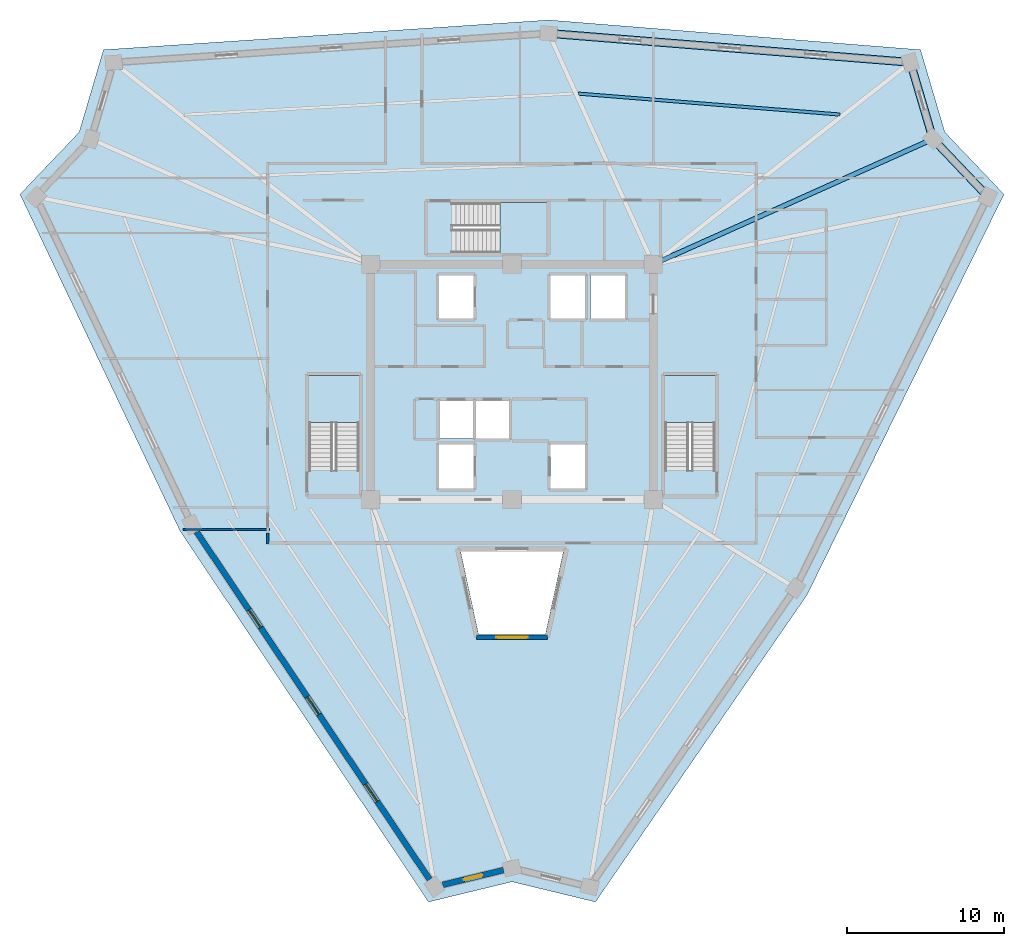
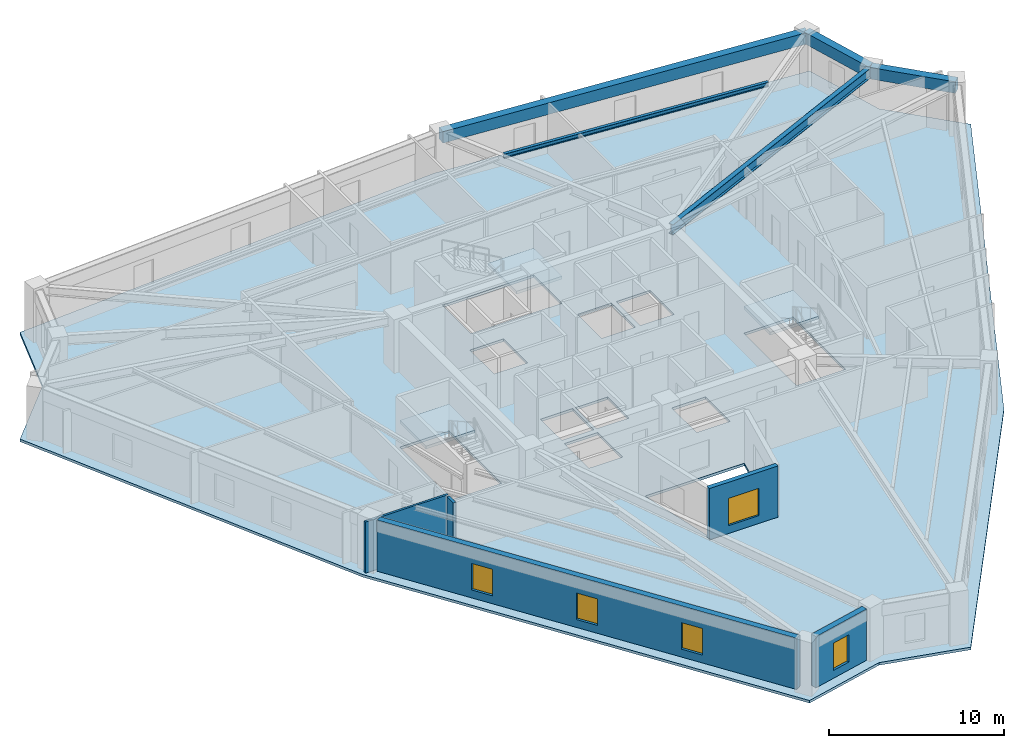
# One storey, part 2 of 8: 5 beams, 5 walls, 5 windows, 4 slabs, 5 openings, 3 elements without a shape of their own.
"""IFC4 building model written with IfcOpenShell, lengths in metres."""

import ifcopenshell
import ifcopenshell.guid

model = None  # the IFC model being written
_history = None  # IfcOwnerHistory: only IFC2X3 demands one
_inside = {}  # id of a spatial element -> (the spatial element, [elements in it])
_under = {}  # id of a project, library or spatial element -> (it, [spatial elements below it])
_declared = {}  # id of a project -> (the project, [libraries it declares])
_typed = {}  # id of a type object -> (the type object, [elements of that type])
_made_of = {}  # id of a material, layer set ... -> (it, [elements and type objects made of it])


def new_model(schema):
    """Start an empty IFC model of exactly this schema.

    Asked for "IFC4X3", IfcOpenShell would pick the latest addendum, in which some entities
    have other attributes; the version numbers below select the first issue.
    IFC2X3 requires an IfcOwnerHistory on every rooted entity: one is made here for all.
    """
    global model, _history
    if schema == "IFC4X3":
        model = ifcopenshell.file(schema_version=(4, 3, 0, 0))
    else:
        model = ifcopenshell.file(schema=schema)
    _inside.clear()
    _under.clear()
    _declared.clear()
    _typed.clear()
    _made_of.clear()
    _history = None
    if model.schema == "IFC2X3":
        org = make("IfcOrganization", Name="unknown")
        user = make(
            "IfcPersonAndOrganization",
            ThePerson=make("IfcPerson", FamilyName="unknown"),
            TheOrganization=org,
        )
        app = make(
            "IfcApplication",
            ApplicationDeveloper=org,
            Version="unknown",
            ApplicationFullName="unknown",
            ApplicationIdentifier="unknown",
        )
        _history = make(
            "IfcOwnerHistory",
            OwningUser=user,
            OwningApplication=app,
            ChangeAction="ADDED",
            CreationDate=0,
        )
    return model


def make(cls, **values):
    """One entity of the class cls with the attributes given. An attribute that is None is left unset."""
    return model.create_entity(
        cls, **{name: value for name, value in values.items() if value is not None}
    )


def rooted(cls, **values):
    """An entity with a GlobalId (a new one), such as an element, a storey or a relation."""
    return make(cls, GlobalId=ifcopenshell.guid.new(), OwnerHistory=_history, **values)


def si_unit(unit_type, name, prefix=None):
    """IfcSIUnit, for example si_unit("LENGTHUNIT", "METRE", prefix="MILLI")."""
    return make("IfcSIUnit", UnitType=unit_type, Prefix=prefix, Name=name)


def assignment(units):
    """IfcUnitAssignment: the units of a project."""
    return None if units is None else make("IfcUnitAssignment", Units=units)


def point(xyz):
    """IfcCartesianPoint."""
    return None if xyz is None else make("IfcCartesianPoint", Coordinates=xyz)


def direction(xyz):
    """IfcDirection."""
    return None if xyz is None else make("IfcDirection", DirectionRatios=xyz)


def frame(location, z_axis=None, x_axis=None):
    """IfcAxis2Placement3D, a coordinate frame: its origin and axes. An axis left out is left unset."""
    return make(
        "IfcAxis2Placement3D",
        Location=point(location),
        Axis=direction(z_axis),
        RefDirection=direction(x_axis),
    )


def frame_2d(location, x_axis=None):
    """IfcAxis2Placement2D, a coordinate frame in the plane: its origin and x axis."""
    return make(
        "IfcAxis2Placement2D", Location=point(location), RefDirection=direction(x_axis)
    )


def origin():
    """The frame at (0, 0, 0) with its axes left unset."""
    return frame((0.0, 0.0, 0.0))


def origin_2d():
    """The frame at (0, 0) in the plane with its x axis left unset."""
    return frame_2d((0.0, 0.0))


def place(relative_to, where):
    """IfcLocalPlacement: puts the frame where relative to a parent placement (None: the world)."""
    return make(
        "IfcLocalPlacement", PlacementRelTo=relative_to, RelativePlacement=where
    )


def context(
    kind, dimensions, precision=None, world=None, true_north=None, identifier=None
):
    """IfcGeometricRepresentationContext, for example the 3D "Model" context."""
    return make(
        "IfcGeometricRepresentationContext",
        ContextIdentifier=identifier,
        ContextType=kind,
        CoordinateSpaceDimension=dimensions,
        Precision=precision,
        WorldCoordinateSystem=world,
        TrueNorth=true_north,
    )


def subcontext(parent, identifier, kind, view, scale=None):
    """IfcGeometricRepresentationSubContext, for example "Body" below "Model"."""
    return make(
        "IfcGeometricRepresentationSubContext",
        ContextIdentifier=identifier,
        ContextType=kind,
        ParentContext=parent,
        TargetScale=scale,
        TargetView=view,
    )


def project(units=None, contexts=None):
    """IfcProject with its units and contexts."""
    return rooted(
        "IfcProject",
        Name="project",
        RepresentationContexts=contexts,
        UnitsInContext=assignment(units),
    )


def spatial(cls, under=None, at=None, **own):
    """A site, building, storey or space (cls), placed at a placement, below another one or the project."""
    s = rooted(cls, ObjectPlacement=at, **own)
    if under is not None:
        _under.setdefault(under.id(), (under, []))[1].append(s)
    return s


def polyline(points):
    """IfcPolyline through the points."""
    return make("IfcPolyline", Points=[point(p) for p in points])


def profile(cls, at=None, kind="AREA", **sizes):
    """A parametric profile (cls). Its sizes go by their IFC names, for example OverallWidth=200.0."""
    return make(cls, ProfileType=kind, Position=at, **sizes)


def rectangle(**sizes):
    """IfcRectangleProfileDef."""
    return profile("IfcRectangleProfileDef", **sizes)


def i_section(**sizes):
    """IfcIShapeProfileDef."""
    return profile("IfcIShapeProfileDef", **sizes)


def outline(outer, holes=None, kind="AREA"):
    """IfcArbitraryClosedProfileDef: a profile drawn as a closed curve; with holes, ...WithVoids."""
    if holes is None:
        return make("IfcArbitraryClosedProfileDef", ProfileType=kind, OuterCurve=outer)
    return make(
        "IfcArbitraryProfileDefWithVoids",
        ProfileType=kind,
        OuterCurve=outer,
        InnerCurves=holes,
    )


def extrude(swept, where, along, depth):
    """IfcExtrudedAreaSolid: the profile swept, set in the frame where, extruded along a direction by depth."""
    return make(
        "IfcExtrudedAreaSolid",
        SweptArea=swept,
        Position=where,
        ExtrudedDirection=direction(along),
        Depth=depth,
    )


def shape(context_of_items, identifier, shape_type, items):
    """IfcShapeRepresentation: the items that make up one representation, for example the "Body"."""
    return make(
        "IfcShapeRepresentation",
        ContextOfItems=context_of_items,
        RepresentationIdentifier=identifier,
        RepresentationType=shape_type,
        Items=items,
    )


def source(mapping_origin, context_of_items, identifier, shape_type, items):
    """IfcRepresentationMap: a shape defined once, which mapped items show again and again."""
    return make(
        "IfcRepresentationMap",
        MappingOrigin=mapping_origin,
        MappedRepresentation=shape(context_of_items, identifier, shape_type, items),
    )


def transform(
    local_origin,
    x_axis=None,
    y_axis=None,
    z_axis=None,
    scale=None,
    scale2=None,
    scale3=None,
    uniform=True,
):
    """IfcCartesianTransformationOperator3D, or its non-uniform kind. x_axis, y_axis, z_axis: its Axis1, 2, 3."""
    if uniform:
        return make(
            "IfcCartesianTransformationOperator3D",
            Axis1=direction(x_axis),
            Axis2=direction(y_axis),
            LocalOrigin=point(local_origin),
            Scale=scale,
            Axis3=direction(z_axis),
        )
    return make(
        "IfcCartesianTransformationOperator3DnonUniform",
        Axis1=direction(x_axis),
        Axis2=direction(y_axis),
        LocalOrigin=point(local_origin),
        Scale=scale,
        Axis3=direction(z_axis),
        Scale2=scale2,
        Scale3=scale3,
    )


def mapped(mapping_source, mapping_target):
    """IfcMappedItem: shows the shape of a source again, moved by a transform."""
    return make(
        "IfcMappedItem", MappingSource=mapping_source, MappingTarget=mapping_target
    )


def material(Name=None, Category=None):
    """IfcMaterial."""
    return make("IfcMaterial", Name=Name, Category=Category)


def layer(
    of_material, thickness, ventilated=None, Name=None, Category=None, Priority=None
):
    """IfcMaterialLayer: one layer of a wall or slab, of a material (None: an air gap)."""
    return make(
        "IfcMaterialLayer",
        Material=of_material,
        LayerThickness=thickness,
        IsVentilated=ventilated,
        Name=Name,
        Category=Category,
        Priority=Priority,
    )


def layer_set(layers, Name=None):
    """IfcMaterialLayerSet."""
    return make("IfcMaterialLayerSet", MaterialLayers=layers, LayerSetName=Name)


def material_profile(
    of_material, cross_section, Name=None, Category=None, Priority=None
):
    """IfcMaterialProfile: a cross section and its material."""
    return make(
        "IfcMaterialProfile",
        Name=Name,
        Material=of_material,
        Profile=cross_section,
        Priority=Priority,
        Category=Category,
    )


def profile_set(profiles, Name=None, composite=None):
    """IfcMaterialProfileSet."""
    return make(
        "IfcMaterialProfileSet",
        Name=Name,
        MaterialProfiles=profiles,
        CompositeProfile=composite,
    )


def made_of(thing, what):
    """Note that an element or type object is made of a material, layer set ...; save() writes the relation."""
    if what is not None:
        _made_of.setdefault(what.id(), (what, []))[1].append(thing)
    return thing


def type_object(cls, material=None, **own):
    """A type object (cls), such as IfcWallType, which elements share."""
    return made_of(rooted(cls, **own), material)


def element(
    cls,
    number,
    at=None,
    inside=None,
    cuts=None,
    type_object=None,
    material=None,
    context=None,
    identifier="Body",
    shape_type=None,
    held_by="IfcProductDefinitionShape",
    body=None,
    shapes=None,
    **own,
):
    """One element of the class cls, such as IfcWall. Its Tag is "e" and its number.

    at: its placement. inside: the storey or other place that contains it. cuts: it is an
    opening in that element (IfcRelVoidsElement). A single representation is given by context,
    identifier, shape_type and body (its items); several are given by shapes. held_by: the class
    of the entity that holds the representations. save() writes the other relations.
    """
    e = rooted(cls, Tag="e%d" % number, ObjectPlacement=at, **own)
    if body is not None:
        shapes = [shape(context, identifier, shape_type, body)]
    if shapes is not None:
        e.Representation = make(held_by, Representations=shapes)
    if inside is not None:
        _inside.setdefault(inside.id(), (inside, []))[1].append(e)
    if cuts is not None:
        rooted(
            "IfcRelVoidsElement", RelatingBuildingElement=cuts, RelatedOpeningElement=e
        )
    if type_object is not None:
        _typed.setdefault(type_object.id(), (type_object, []))[1].append(e)
    return made_of(e, material)


def fill(opening, filler):
    """IfcRelFillsElement: the door or window that sits in an opening."""
    return rooted(
        "IfcRelFillsElement",
        RelatingOpeningElement=opening,
        RelatedBuildingElement=filler,
    )


def aggregate(whole, parts):
    """IfcRelAggregates: a whole, such as a stair, and the parts it consists of."""
    return rooted("IfcRelAggregates", RelatingObject=whole, RelatedObjects=parts)


def save(model, path):
    """Write the relations noted so far, then the file.

    IfcRelAggregates (storeys below a building ...), IfcRelContainedInSpatialStructure (elements
    in a storey), IfcRelDefinesByType, IfcRelAssociatesMaterial and IfcRelDeclares: one each for
    every whole, place, type object, material and project.
    """
    for whole, parts in _under.values():
        aggregate(whole, parts)
    for where, things in _inside.values():
        rooted(
            "IfcRelContainedInSpatialStructure",
            RelatedElements=things,
            RelatingStructure=where,
        )
    for kind, things in _typed.values():
        rooted("IfcRelDefinesByType", RelatedObjects=things, RelatingType=kind)
    for what, things in _made_of.values():
        rooted("IfcRelAssociatesMaterial", RelatedObjects=things, RelatingMaterial=what)
    for by, libraries in _declared.values():
        rooted("IfcRelDeclares", RelatingContext=by, RelatedDefinitions=libraries)
    model.write(path)


model = new_model("IFC4")

# Units and contexts
model_context = context("Model", 3, precision=1e-05, world=origin(), true_north=direction((0.0, 1.0)))
body_context = subcontext(model_context, "Body", "Model", "MODEL_VIEW")
ifc_project = project(units=[si_unit("LENGTHUNIT", "METRE"), si_unit("AREAUNIT", "SQUARE_METRE"), si_unit("VOLUMEUNIT", "CUBIC_METRE"), si_unit("PLANEANGLEUNIT", "RADIAN"), si_unit("MASSUNIT", "GRAM", prefix="KILO")], contexts=[model_context])

# Site, building, storey
site_placement = place(None, origin())
site = spatial("IfcSite", under=ifc_project, at=site_placement, CompositionType="ELEMENT")
building_placement = place(site_placement, origin())
building = spatial("IfcBuilding", under=site, at=building_placement, Name="Liaohun Quay Tower", CompositionType="ELEMENT")
storey_placement = place(building_placement, frame((0.0, 0.0, 297.75)))
storey = spatial("IfcBuildingStorey", under=building, at=storey_placement, Name="L77", CompositionType="ELEMENT", Elevation=297.75)

# Beams
ifc_material_1 = material(Name="Steel Q355D", Category="steel")
ifc_material_profile_1 = material_profile(ifc_material_1, i_section(OverallWidth=0.300048828125, OverallDepth=0.699951171875, WebThickness=0.012939453125, FlangeThickness=0.02392578125, at=origin_2d()), Name="HN700x300x13x24")
ifc_profile_set_1 = profile_set([ifc_material_profile_1], Name="Steel Q355D")
beam_type_1 = type_object("IfcBeamType", Name="BM-RAD-U1", PredefinedType="BEAM", material=ifc_profile_set_1)
shared_shape_1 = source(origin(), body_context, "Body", "SweptSolid", [
    extrude(i_section(OverallWidth=0.300048828125, OverallDepth=0.699951171875, WebThickness=0.012939453125, FlangeThickness=0.02392578125, at=origin_2d()), origin(), (0.0, 0.0, 1.0), 19.517822265625),
])
beam_1_placement = place(storey_placement, frame((69.0, 61.5, 3.219970703125), z_axis=(0.912599463054, 0.408854766432, 0.0), x_axis=(-0.408854766432, 0.912599463054, 0.0)))
element("IfcBeam", 1, at=beam_1_placement, inside=storey, type_object=beam_type_1, Name="L77 Radial Primary Girder CC4-PC08", PredefinedType="BEAM", context=body_context, shape_type="MappedRepresentation", body=[
    mapped(shared_shape_1, transform((0.0, 0.0, 0.0), x_axis=(1.0, 0.0, 0.0), y_axis=(0.0, 1.0, 0.0), z_axis=(0.0, 0.0, 1.0), scale=1.0)),
])
ifc_material_profile_2 = material_profile(ifc_material_1, i_section(OverallWidth=0.199951171875, OverallDepth=0.2939453125, WebThickness=0.008056640625, FlangeThickness=0.011962890625, at=origin_2d()), Name="HM294x200x8x12")
ifc_profile_set_2 = profile_set([ifc_material_profile_2], Name="Steel Q355D")
beam_type_2 = type_object("IfcBeamType", Name="BM-SEC-J4", PredefinedType="JOIST", material=ifc_profile_set_2)
shared_shape_2 = source(origin(), body_context, "Body", "SweptSolid", [
    extrude(i_section(OverallWidth=0.199951171875, OverallDepth=0.2939453125, WebThickness=0.008056640625, FlangeThickness=0.011962890625, at=origin_2d()), origin(), (0.0, 0.0, 1.0), 16.709228515625),
])
beam_2_placement = place(storey_placement, frame((64.239990234375, 72.368896484375, 3.423095703125), z_axis=(0.996808119999, -0.079834653528, 0.0), x_axis=(0.079834653528, 0.996808119999, 0.0)))
element("IfcBeam", 2, at=beam_2_placement, inside=storey, type_object=beam_type_2, Name="L77 Wing Secondary Floor Joist SJ-09", PredefinedType="JOIST", context=body_context, shape_type="MappedRepresentation", body=[
    mapped(shared_shape_2, transform((0.0, 0.0, 0.0), x_axis=(1.0, 0.0, 0.0), y_axis=(0.0, 1.0, 0.0), z_axis=(0.0, 0.0, 1.0), scale=1.0)),
])
ifc_material_2 = material(Name="Precast concrete C50", Category="concrete")
ifc_material_profile_3 = material_profile(ifc_material_2, rectangle(XDim=0.5, YDim=0.800048828125, at=origin_2d()), Name="RC500x800")
ifc_profile_set_3 = profile_set([ifc_material_profile_3], Name="Precast concrete C50")
beam_type_3 = type_object("IfcBeamType", Name="BM-SPD-Z4", PredefinedType="SPANDREL", material=ifc_profile_set_3)
shared_shape_3 = source(origin(), body_context, "Body", "SweptSolid", [
    extrude(rectangle(XDim=0.5, YDim=0.800048828125, at=origin_2d()), origin(), (0.0, 0.0, 1.0), 23.11181640625),
])
beam_3_placement = place(storey_placement, frame((62.3359375, 76.2060546875, 3.169921875), z_axis=(0.996808658259, -0.079827932585, 0.0), x_axis=(0.079827932585, 0.996808658259, 0.0)))
element("IfcBeam", 3, at=beam_3_placement, inside=storey, type_object=beam_type_3, Name="L77 Precast Spandrel Beam PC06-PC07", PredefinedType="SPANDREL", context=body_context, shape_type="MappedRepresentation", body=[
    mapped(shared_shape_3, transform((0.0, 0.0, 0.0), x_axis=(1.0, 0.0, 0.0), y_axis=(0.0, 1.0, 0.0), z_axis=(0.0, 0.0, 1.0), scale=1.0)),
])
shared_shape_4 = source(origin(), body_context, "Body", "SweptSolid", [
    extrude(rectangle(XDim=0.5, YDim=0.800048828125, at=origin_2d()), origin(), (0.0, 0.0, 1.0), 5.088623046875),
])
beam_4_placement = place(storey_placement, frame((85.3740234375, 74.361083984375, 3.169921875), z_axis=(0.282594895902, -0.959239346988, 0.0), x_axis=(0.959239346988, 0.282594895902, 0.0)))
element("IfcBeam", 4, at=beam_4_placement, inside=storey, type_object=beam_type_3, Name="L77 Precast Spandrel Beam PC07-PC08", PredefinedType="SPANDREL", context=body_context, shape_type="MappedRepresentation", body=[
    mapped(shared_shape_4, transform((0.0, 0.0, 0.0), x_axis=(1.0, 0.0, 0.0), y_axis=(0.0, 1.0, 0.0), z_axis=(0.0, 0.0, 1.0), scale=1.0)),
])
shared_shape_5 = source(origin(), body_context, "Body", "SweptSolid", [
    extrude(rectangle(XDim=0.5, YDim=0.800048828125, at=origin_2d()), origin(), (0.0, 0.0, 1.0), 5.08056640625),
])
beam_5_placement = place(storey_placement, frame((86.81201171875, 69.47998046875, 3.169921875), z_axis=(0.689275908539, -0.724498945415, 0.0), x_axis=(0.724498945415, 0.689275908539, 0.0)))
element("IfcBeam", 5, at=beam_5_placement, inside=storey, type_object=beam_type_3, Name="L77 Precast Spandrel Beam PC08-PC09", PredefinedType="SPANDREL", context=body_context, shape_type="MappedRepresentation", body=[
    mapped(shared_shape_5, transform((0.0, 0.0, 0.0), x_axis=(1.0, 0.0, 0.0), y_axis=(0.0, 1.0, 0.0), z_axis=(0.0, 0.0, 1.0), scale=1.0)),
])

# Stair, slab
ifc_material_3 = material(Name="Concrete C45", Category="concrete")
stair_type = type_object("IfcStairType", Name="STR-CORE-OFF", PredefinedType="HALF_TURN_STAIR", material=ifc_material_3)
stair_1_placement = place(storey_placement, origin())
stair_1 = element("IfcStair", 6, at=stair_1_placement, inside=storey, type_object=stair_type, Name="L77 Smokeproof Core Exit Stair ST-1", PredefinedType="HALF_TURN_STAIR")
ifc_layer_1 = layer(ifc_material_3, 0.199951171875, Name="Concrete C45", Category="concrete")
ifc_layer_set_1 = layer_set([ifc_layer_1], Name="Concrete C45")
slab_type_1 = type_object("IfcSlabType", Name="SLB-LND-200", PredefinedType="LANDING", material=ifc_layer_set_1)
slab_1_placement = place(storey_placement, frame((0.0, 0.0, 1.675048828125)))
slab_1 = element("IfcSlab", 7, at=slab_1_placement, type_object=slab_type_1, Name="ST-1 landing 1", PredefinedType="LANDING", context=body_context, shape_type="SweptSolid", body=[
    extrude(outline(polyline([(50.280029296875, 51.429931640625), (50.280029296875, 54.419921875), (47.0400390625, 54.419921875), (47.0400390625, 51.429931640625), (50.280029296875, 51.429931640625)])), origin(), (0.0, 0.0, 1.0), 0.199951171875),
])
aggregate(stair_1, [slab_1])

stair_2_placement = place(storey_placement, origin())
stair_2 = element("IfcStair", 8, at=stair_2_placement, inside=storey, type_object=stair_type, Name="L77 Smokeproof Core Exit Stair ST-2", PredefinedType="HALF_TURN_STAIR")
slab_2_placement = place(storey_placement, frame((0.0, 0.0, 1.675048828125)))
slab_2 = element("IfcSlab", 9, at=slab_2_placement, type_object=slab_type_1, Name="ST-2 landing 1", PredefinedType="LANDING", context=body_context, shape_type="SweptSolid", body=[
    extrude(outline(polyline([(72.9599609375, 51.429931640625), (72.9599609375, 54.419921875), (69.719970703125, 54.419921875), (69.719970703125, 51.429931640625), (72.9599609375, 51.429931640625)])), origin(), (0.0, 0.0, 1.0), 0.199951171875),
])
aggregate(stair_2, [slab_2])

stair_3_placement = place(storey_placement, origin())
stair_3 = element("IfcStair", 10, at=stair_3_placement, inside=storey, type_object=stair_type, Name="L77 Smokeproof Core Exit Stair ST-3", PredefinedType="HALF_TURN_STAIR")
slab_3_placement = place(storey_placement, frame((0.0, 0.0, 1.675048828125)))
slab_3 = element("IfcSlab", 11, at=slab_3_placement, type_object=slab_type_1, Name="ST-3 landing 1", PredefinedType="LANDING", context=body_context, shape_type="SweptSolid", body=[
    extrude(outline(polyline([(59.22998046875, 62.199951171875), (62.219970703125, 62.199951171875), (62.219970703125, 65.43994140625), (59.22998046875, 65.43994140625), (59.22998046875, 62.199951171875)])), origin(), (0.0, 0.0, 1.0), 0.199951171875),
])
aggregate(stair_3, [slab_3])

# Slab
ifc_layer_2 = layer(ifc_material_3, 0.179931640625, Name="Concrete C45", Category="concrete")
ifc_layer_set_2 = layer_set([ifc_layer_2], Name="Concrete C45")
slab_type_2 = type_object("IfcSlabType", Name="SLB-OFF-180", PredefinedType="FLOOR", material=ifc_layer_set_2)
slab_4_placement = place(storey_placement, frame((0.0, 0.0, -0.179931640625)))
element("IfcSlab", 12, at=slab_4_placement, inside=storey, type_object=slab_type_2, Name="L77 Structural Floor Slab", PredefinedType="FLOOR", context=body_context, shape_type="SweptSolid", body=[
    extrude(outline(polyline([(54.68505859375, 20.882080078125), (60.0, 22.166015625), (65.31494140625, 20.882080078125), (78.797119140625, 40.443115234375), (91.337890625, 65.9560546875), (87.569091796875, 69.9169921875), (86.02392578125, 75.162109375), (62.342041015625, 77.05810546875), (33.97607421875, 75.162109375), (32.430908203125, 69.9169921875), (28.662109375, 65.9560546875), (38.861083984375, 44.5), (54.68505859375, 20.882080078125)]), holes=[polyline([(57.56005859375, 50.030029296875), (55.340087890625, 50.030029296875), (55.340087890625, 47.2099609375), (57.56005859375, 47.2099609375), (57.56005859375, 50.030029296875)]), polyline([(47.0400390625, 54.419921875), (47.0400390625, 48.409912109375), (50.280029296875, 48.409912109375), (50.280029296875, 54.419921875), (47.0400390625, 54.419921875)]), polyline([(57.510009765625, 52.81005859375), (55.389892578125, 52.81005859375), (55.389892578125, 50.389892578125), (57.510009765625, 50.389892578125), (57.510009765625, 52.81005859375)]), polyline([(59.81005859375, 50.389892578125), (59.81005859375, 52.81005859375), (57.68994140625, 52.81005859375), (57.68994140625, 50.389892578125), (59.81005859375, 50.389892578125)]), polyline([(57.56005859375, 58.0400390625), (57.56005859375, 60.7900390625), (55.340087890625, 60.7900390625), (55.340087890625, 58.0400390625), (57.56005859375, 58.0400390625)]), polyline([(62.219970703125, 65.43994140625), (56.2099609375, 65.43994140625), (56.2099609375, 62.199951171875), (62.219970703125, 62.199951171875), (62.219970703125, 65.43994140625)]), polyline([(62.1240234375, 37.909912109375), (63.26806640625, 43.199951171875), (56.73193359375, 43.199951171875), (57.8759765625, 37.909912109375), (62.1240234375, 37.909912109375)]), polyline([(64.659912109375, 47.2099609375), (64.659912109375, 50.030029296875), (62.43994140625, 50.030029296875), (62.43994140625, 47.2099609375), (64.659912109375, 47.2099609375)]), polyline([(69.719970703125, 54.419921875), (69.719970703125, 48.409912109375), (72.9599609375, 48.409912109375), (72.9599609375, 54.419921875), (69.719970703125, 54.419921875)]), polyline([(64.659912109375, 58.0400390625), (64.659912109375, 60.7900390625), (62.43994140625, 60.7900390625), (62.43994140625, 58.0400390625), (64.659912109375, 58.0400390625)]), polyline([(67.2099609375, 58.0400390625), (67.2099609375, 60.7900390625), (64.989990234375, 60.7900390625), (64.989990234375, 58.0400390625), (67.2099609375, 58.0400390625)])]), origin(), (0.0, 0.0, 1.0), 0.179931640625),
])

# Wall, opening, window
ifc_material_4 = material(Name="Concrete C50", Category="concrete")
ifc_layer_3 = layer(ifc_material_4, 0.300048828125, Name="Concrete C50", Category="concrete")
ifc_layer_set_3 = layer_set([ifc_layer_3], Name="Concrete C50")
wall_type_1 = type_object("IfcWallType", Name="WAL-ATR-300", PredefinedType="SOLIDWALL", material=ifc_layer_set_3)
wall_1_placement = place(storey_placement, frame((62.260986328125, 37.739990234375, 0.0), z_axis=(0.0, 0.0, 1.0), x_axis=(-1.0, 0.0, 0.0)))
wall_1 = element("IfcWall", 13, at=wall_1_placement, inside=storey, type_object=wall_type_1, Name="L77 Atrium Fire Compartment Wall 4", PredefinedType="SOLIDWALL", context=body_context, shape_type="SweptSolid", body=[
    extrude(rectangle(XDim=4.52197265625, YDim=0.300048828125, at=frame_2d((2.260986328125, 0.0))), origin(), (0.0, 0.0, 1.0), 3.570068359375),
])
shared_shape_6 = source(origin(), body_context, "Body", "SweptSolid", [
    extrude(rectangle(XDim=2.0, YDim=1.89990234375, at=frame_2d((1.0, 0.949951171875))), frame((0.0, 0.159912109375, 0.0), z_axis=(0.0, -1.0, 0.0), x_axis=(1.0, 0.0, 0.0)), (0.0, 0.0, 1.0), 0.320068359375),
])
opening_1_placement = place(wall_1_placement, frame((1.260986328125, 0.0, 0.550048828125)))
opening_1 = element("IfcOpeningElement", 14, at=opening_1_placement, cuts=wall_1, Name="Opening W07", PredefinedType="OPENING", context=body_context, shape_type="MappedRepresentation", body=[
    mapped(shared_shape_6, transform((0.0, 0.0, 0.0), x_axis=(1.0, 0.0, 0.0), y_axis=(0.0, 1.0, 0.0), z_axis=(0.0, 0.0, 1.0), scale=1.0)),
])
ifc_material_5 = material(Name="Class A 180-min fire-resistant insulated glazing", Category="glass")
window_type_1 = type_object("IfcWindowType", Name="WIN-ATR-FIR", PartitioningType="DOUBLE_PANEL_VERTICAL", PredefinedType="WINDOW", material=ifc_material_5)
shared_shape_7 = source(origin(), body_context, "Body", "SweptSolid", [
    extrude(rectangle(XDim=2.0, YDim=1.89990234375, at=frame_2d((1.0, 0.949951171875))), frame((0.0, 0.030029296875, 0.0), z_axis=(0.0, -1.0, 0.0), x_axis=(1.0, 0.0, 0.0)), (0.0, 0.0, 1.0), 0.06005859375),
])
window_1_placement = place(opening_1_placement, origin())
window_1 = element("IfcWindow", 15, at=window_1_placement, inside=storey, type_object=window_type_1, Name="L77 Atrium Fire-Resistant Glazing W07-4", OverallHeight=1.89990234375, OverallWidth=2.0, PartitioningType="DOUBLE_PANEL_VERTICAL", PredefinedType="WINDOW", context=body_context, shape_type="MappedRepresentation", body=[
    mapped(shared_shape_7, transform((0.0, 0.0, 0.0), x_axis=(1.0, 0.0, 0.0), y_axis=(0.0, 1.0, 0.0), z_axis=(0.0, 0.0, 1.0), scale=1.0)),
])
fill(opening_1, window_1)

# Wall, openings, windows
ifc_material_6 = material(Name="Precast concrete C50 insulated sandwich", Category="concrete")
ifc_layer_4 = layer(ifc_material_6, 0.3798828125, Name="Precast concrete C50 insulated sandwich", Category="concrete")
ifc_layer_set_4 = layer_set([ifc_layer_4], Name="Precast concrete C50 insulated sandwich")
wall_type_2 = type_object("IfcWallType", Name="WAL-EXT-Z34", PredefinedType="SOLIDWALL", material=ifc_layer_set_4)
wall_2_placement = place(storey_placement, frame((39.903076171875, 44.471923828125, 0.0), z_axis=(0.0, 0.0, 1.0), x_axis=(0.556589940211, -0.830787360554, 0.0)))
wall_2 = element("IfcWall", 16, at=wall_2_placement, inside=storey, type_object=wall_type_2, Name="L77 Brutalist Precast Pier Wall 11", PredefinedType="SOLIDWALL", context=body_context, shape_type="SweptSolid", body=[
    extrude(rectangle(XDim=26.69287109375, YDim=0.3798828125, at=frame_2d((13.346435546875, 0.0))), origin(), (0.0, 0.0, 1.0), 3.570068359375),
])
shared_shape_8 = source(origin(), body_context, "Body", "SweptSolid", [
    extrude(rectangle(XDim=1.35009765625, YDim=1.85009765625, at=frame_2d((0.675048828125, 0.925048828125))), frame((0.0, 0.199951171875, 0.0), z_axis=(0.0, -1.0, 0.0), x_axis=(1.0, 0.0, 0.0)), (0.0, 0.0, 1.0), 0.39990234375),
])
opening_2_placement = place(wall_2_placement, frame((5.998046875, 0.0, 0.550048828125)))
opening_2 = element("IfcOpeningElement", 17, at=opening_2_placement, cuts=wall_2, Name="Opening W04", PredefinedType="OPENING", context=body_context, shape_type="MappedRepresentation", body=[
    mapped(shared_shape_8, transform((0.0, 0.0, 0.0), x_axis=(1.0, 0.0, 0.0), y_axis=(0.0, 1.0, 0.0), z_axis=(0.0, 0.0, 1.0), scale=1.0)),
])
opening_3_placement = place(wall_2_placement, frame((12.6708984375, 0.0, 0.550048828125)))
opening_3 = element("IfcOpeningElement", 18, at=opening_3_placement, cuts=wall_2, Name="Opening W04", PredefinedType="OPENING", context=body_context, shape_type="MappedRepresentation", body=[
    mapped(shared_shape_8, transform((0.0, 0.0, 0.0), x_axis=(1.0, 0.0, 0.0), y_axis=(0.0, 1.0, 0.0), z_axis=(0.0, 0.0, 1.0), scale=1.0)),
])
opening_4_placement = place(wall_2_placement, frame((19.344970703125, 0.0, 0.550048828125)))
opening_4 = element("IfcOpeningElement", 19, at=opening_4_placement, cuts=wall_2, Name="Opening W04", PredefinedType="OPENING", context=body_context, shape_type="MappedRepresentation", body=[
    mapped(shared_shape_8, transform((0.0, 0.0, 0.0), x_axis=(1.0, 0.0, 0.0), y_axis=(0.0, 1.0, 0.0), z_axis=(0.0, 0.0, 1.0), scale=1.0)),
])
ifc_material_7 = material(Name="Triple Low-E argon glazing in thermally broken aluminium", Category="aluminium")
window_type_2 = type_object("IfcWindowType", Name="WIN-PUN-Z4", PartitioningType="SINGLE_PANEL", PredefinedType="WINDOW", material=ifc_material_7)
shared_shape_9 = source(origin(), body_context, "Body", "SweptSolid", [
    extrude(rectangle(XDim=1.35009765625, YDim=1.85009765625, at=frame_2d((0.675048828125, 0.925048828125))), frame((0.0, 0.030029296875, 0.0), z_axis=(0.0, -1.0, 0.0), x_axis=(1.0, 0.0, 0.0)), (0.0, 0.0, 1.0), 0.06005859375),
])
window_2_placement = place(opening_2_placement, origin())
window_2 = element("IfcWindow", 20, at=window_2_placement, inside=storey, type_object=window_type_2, Name="L77 Recessed Cold-Climate Punched Window 11-1", OverallHeight=1.85009765625, OverallWidth=1.35009765625, PartitioningType="SINGLE_PANEL", PredefinedType="WINDOW", context=body_context, shape_type="MappedRepresentation", body=[
    mapped(shared_shape_9, transform((0.0, 0.0, 0.0), x_axis=(1.0, 0.0, 0.0), y_axis=(0.0, 1.0, 0.0), z_axis=(0.0, 0.0, 1.0), scale=1.0)),
])
fill(opening_2, window_2)
window_3_placement = place(opening_3_placement, origin())
window_3 = element("IfcWindow", 21, at=window_3_placement, inside=storey, type_object=window_type_2, Name="L77 Recessed Cold-Climate Punched Window 11-2", OverallHeight=1.85009765625, OverallWidth=1.35009765625, PartitioningType="SINGLE_PANEL", PredefinedType="WINDOW", context=body_context, shape_type="MappedRepresentation", body=[
    mapped(shared_shape_9, transform((0.0, 0.0, 0.0), x_axis=(1.0, 0.0, 0.0), y_axis=(0.0, 1.0, 0.0), z_axis=(0.0, 0.0, 1.0), scale=1.0)),
])
fill(opening_3, window_3)
window_4_placement = place(opening_4_placement, origin())
window_4 = element("IfcWindow", 22, at=window_4_placement, inside=storey, type_object=window_type_2, Name="L77 Recessed Cold-Climate Punched Window 11-3", OverallHeight=1.85009765625, OverallWidth=1.35009765625, PartitioningType="SINGLE_PANEL", PredefinedType="WINDOW", context=body_context, shape_type="MappedRepresentation", body=[
    mapped(shared_shape_9, transform((0.0, 0.0, 0.0), x_axis=(1.0, 0.0, 0.0), y_axis=(0.0, 1.0, 0.0), z_axis=(0.0, 0.0, 1.0), scale=1.0)),
])
fill(opening_4, window_4)

# Wall, opening, window
wall_3_placement = place(storey_placement, frame((55.5859375, 21.97412109375, 0.0), z_axis=(0.0, 0.0, 1.0), x_axis=(0.972070688758, 0.234688252917, 0.0)))
wall_3 = element("IfcWall", 23, at=wall_3_placement, inside=storey, type_object=wall_type_2, Name="L77 Brutalist Precast Pier Wall 12", PredefinedType="SOLIDWALL", context=body_context, shape_type="SweptSolid", body=[
    extrude(rectangle(XDim=4.0009765625, YDim=0.3798828125, at=frame_2d((2.00048828125, 0.0))), origin(), (0.0, 0.0, 1.0), 3.570068359375),
])
shared_shape_10 = source(origin(), body_context, "Body", "SweptSolid", [
    extrude(rectangle(XDim=1.199951171875, YDim=1.89990234375, at=frame_2d((0.60009765625, 0.949951171875))), frame((0.0, 0.199951171875, 0.0), z_axis=(0.0, -1.0, 0.0), x_axis=(1.0, 0.0, 0.0)), (0.0, 0.0, 1.0), 0.39990234375),
])
opening_5_placement = place(wall_3_placement, frame((1.39990234375, 0.0, 0.550048828125)))
opening_5 = element("IfcOpeningElement", 24, at=opening_5_placement, cuts=wall_3, Name="Opening W05", PredefinedType="OPENING", context=body_context, shape_type="MappedRepresentation", body=[
    mapped(shared_shape_10, transform((0.0, 0.0, 0.0), x_axis=(1.0, 0.0, 0.0), y_axis=(0.0, 1.0, 0.0), z_axis=(0.0, 0.0, 1.0), scale=1.0)),
])
ifc_material_8 = material(Name="Triple Low-E corner notch glazing", Category="glass")
window_type_3 = type_object("IfcWindowType", Name="WIN-NOTCH", PartitioningType="SINGLE_PANEL", PredefinedType="WINDOW", material=ifc_material_8)
shared_shape_11 = source(origin(), body_context, "Body", "SweptSolid", [
    extrude(rectangle(XDim=1.199951171875, YDim=1.89990234375, at=frame_2d((0.60009765625, 0.949951171875))), frame((0.0, 0.030029296875, 0.0), z_axis=(0.0, -1.0, 0.0), x_axis=(1.0, 0.0, 0.0)), (0.0, 0.0, 1.0), 0.06005859375),
])
window_5_placement = place(opening_5_placement, origin())
window_5 = element("IfcWindow", 25, at=window_5_placement, inside=storey, type_object=window_type_3, Name="L77 Corner Notch Window W05-12", OverallHeight=1.89990234375, OverallWidth=1.199951171875, PartitioningType="SINGLE_PANEL", PredefinedType="WINDOW", context=body_context, shape_type="MappedRepresentation", body=[
    mapped(shared_shape_11, transform((0.0, 0.0, 0.0), x_axis=(1.0, 0.0, 0.0), y_axis=(0.0, 1.0, 0.0), z_axis=(0.0, 0.0, 1.0), scale=1.0)),
])
fill(opening_5, window_5)

# Walls
ifc_material_9 = material(Name="Autoclaved aerated concrete blockwork", Category="masonry")
ifc_layer_5 = layer(ifc_material_9, 0.179931640625, Name="Autoclaved aerated concrete blockwork", Category="masonry")
ifc_layer_set_5 = layer_set([ifc_layer_5], Name="Autoclaved aerated concrete blockwork")
wall_type_3 = type_object("IfcWallType", Name="WAL-PRT-COR", PredefinedType="PARTITIONING", material=ifc_layer_set_5)
wall_4_placement = place(storey_placement, frame((44.43994140625, 43.669921875, 0.0), z_axis=(0.0, 0.0, 1.0), x_axis=(0.0, 1.0, 0.0)))
element("IfcWall", 26, at=wall_4_placement, inside=storey, type_object=wall_type_3, Name="L77 Interior Partition Wall 046", PredefinedType="PARTITIONING", context=body_context, shape_type="SweptSolid", body=[
    extrude(rectangle(XDim=0.715087890625, YDim=0.179931640625, at=frame_2d((0.357421875, 0.0))), origin(), (0.0, 0.0, 1.0), 3.570068359375),
])
ifc_material_10 = material(Name="Gypsum board on twin steel studs", Category="steel")
ifc_layer_6 = layer(ifc_material_10, 0.139892578125, Name="Gypsum board on twin steel studs", Category="steel")
ifc_layer_set_6 = layer_set([ifc_layer_6], Name="Gypsum board on twin steel studs")
wall_type_4 = type_object("IfcWallType", Name="WAL-PRT-OFF", PredefinedType="PARTITIONING", material=ifc_layer_set_6)
wall_5_placement = place(storey_placement, frame((44.5400390625, 44.60009765625, 0.0), z_axis=(0.0, 0.0, 1.0), x_axis=(-1.0, 0.0, 0.0)))
element("IfcWall", 27, at=wall_5_placement, inside=storey, type_object=wall_type_4, Name="L77 Interior Partition Wall 049", PredefinedType="PARTITIONING", context=body_context, shape_type="SweptSolid", body=[
    extrude(rectangle(XDim=5.48095703125, YDim=0.139892578125, at=frame_2d((2.740478515625, 0.0))), origin(), (0.0, 0.0, 1.0), 3.570068359375),
])

save(model, "model.ifc")
